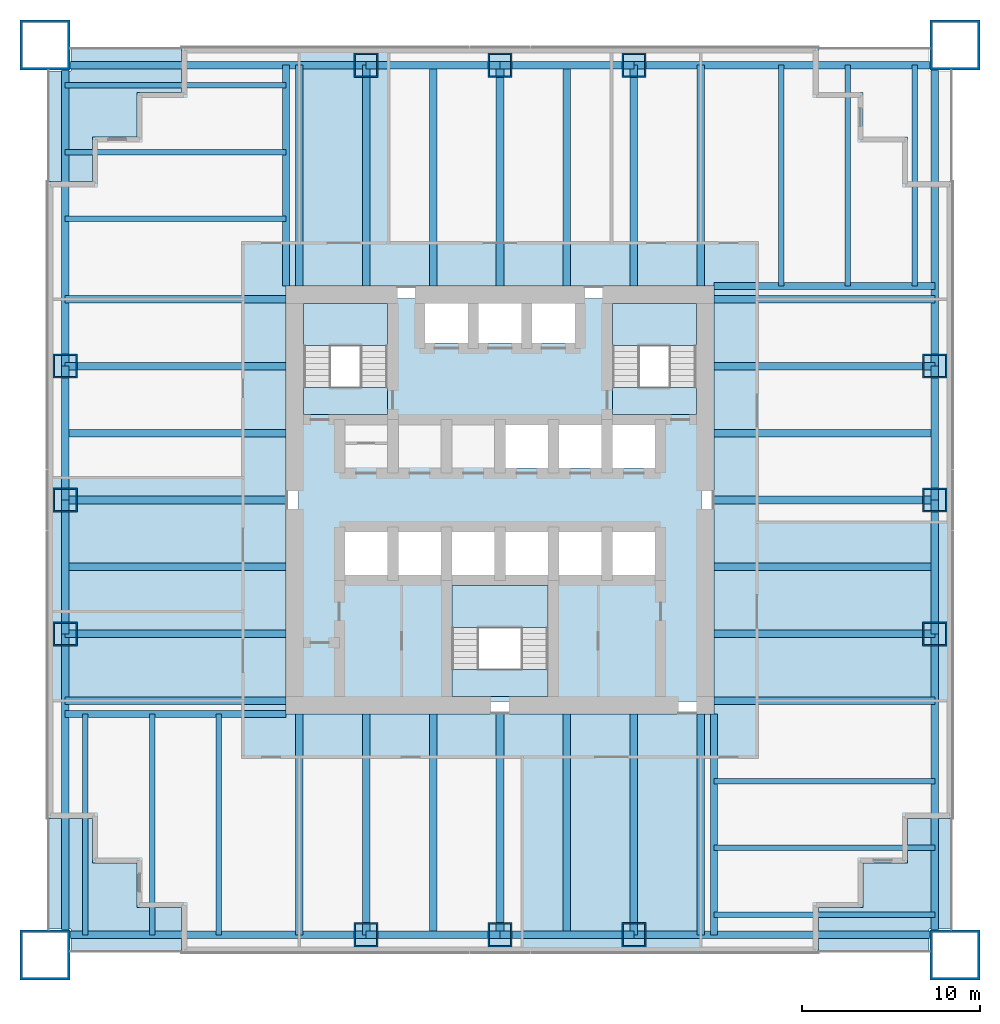
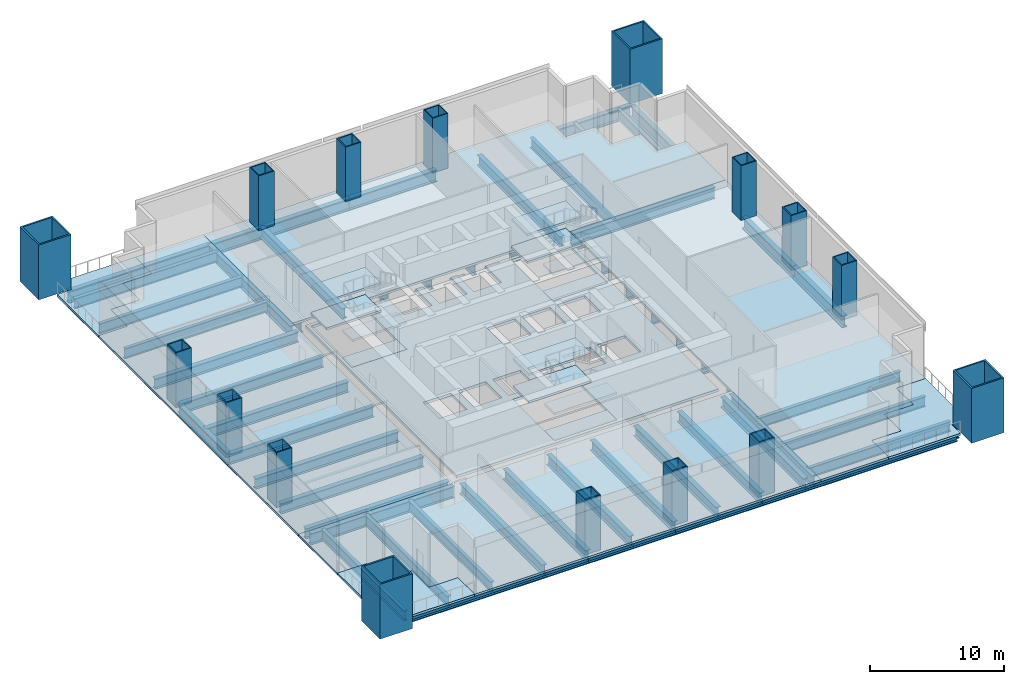
# One storey, part 1 of 6: 60 beams, 20 slabs, 16 columns, 3 elements without a shape of their own.
"""IFC4 building model written with IfcOpenShell, lengths in metres."""

from ifc_helpers import new_model, si_unit, direction, frame, origin, origin_2d, place, context, subcontext, project, spatial, polyline, hollow_rectangle, i_section, outline, extrude, material, layer, layer_set, material_profile, profile_set, type_object, element, aggregate, save


model = new_model("IFC4")

# Units and contexts
model_context = context("Model", 3, precision=1e-05, world=origin(), true_north=direction((0.0, 1.0)))
body_context = subcontext(model_context, "Body", "Model", "MODEL_VIEW")
ifc_project = project(units=[si_unit("LENGTHUNIT", "METRE"), si_unit("AREAUNIT", "SQUARE_METRE"), si_unit("VOLUMEUNIT", "CUBIC_METRE"), si_unit("PLANEANGLEUNIT", "RADIAN"), si_unit("MASSUNIT", "GRAM", prefix="KILO")], contexts=[model_context])

# Site, building, storey
site_placement = place(None, origin())
site = spatial("IfcSite", under=ifc_project, at=site_placement, CompositionType="ELEMENT")
building_placement = place(site_placement, origin())
building = spatial("IfcBuilding", under=site, at=building_placement, Name="Tarangal Relay Tower", CompositionType="ELEMENT")
storey_placement = place(building_placement, frame((0.0, 0.0, 73.39990234375)))
storey = spatial("IfcBuildingStorey", under=building, at=storey_placement, Name="L14", CompositionType="ELEMENT", Elevation=73.39990234375)

# Columns
ifc_material_1 = material(Name="Steel ASTM A572 Grade 42", Category="steel")
ifc_material_profile_1 = material_profile(ifc_material_1, hollow_rectangle(XDim=2.800048828125, YDim=2.800048828125, WallThickness=0.139892578125, at=origin_2d()), Name="BOX2800X2800X140")
ifc_profile_set_1 = profile_set([ifc_material_profile_1], Name="Steel ASTM A572 Grade 42")
column_type_1 = type_object("IfcColumnType", Name="Mega column BOX2800X2800X140", PredefinedType="COLUMN", material=ifc_profile_set_1)
for number, where, z_axis, x_axis, name in (
    (1, (25.5, 25.5, 0.0), (0.0, 0.0, 1.0), (1.0, 0.0, 0.0), "Mega column MC1 NE L14"),
    (2, (25.5, -25.5, 0.0), (0.0, 0.0, 1.0), (1.0, 0.0, 0.0), "Mega column MC1 SE L14"),
    (3, (-25.5, -25.5, 0.0), (0.0, 0.0, 1.0), (1.0, 0.0, 0.0), "Mega column MC1 SW L14"),
    (4, (-25.5, 25.5, 0.0), (0.0, 0.0, 1.0), (1.0, 0.0, 0.0), "Mega column MC1 NW L14"),
):
    element("IfcColumn", number, at=place(storey_placement, frame(where, z_axis=z_axis, x_axis=x_axis)), inside=storey, type_object=column_type_1, Name=name, PredefinedType="COLUMN", context=body_context, shape_type="SweptSolid", body=[
        extrude(hollow_rectangle(XDim=2.800048828125, YDim=2.800048828125, WallThickness=0.139892578125, at=origin_2d()), origin(), (0.0, 0.0, 1.0), 5.0),
    ])
ifc_material_2 = material(Name="Steel ASTM A572 Grade 50", Category="steel")
ifc_material_profile_2 = material_profile(ifc_material_2, hollow_rectangle(XDim=1.35009765625, YDim=1.35009765625, WallThickness=0.0849609375, at=origin_2d()), Name="BOX1350X1350X85")
ifc_profile_set_2 = profile_set([ifc_material_profile_2], Name="Steel ASTM A572 Grade 50")
column_type_2 = type_object("IfcColumnType", Name="Perimeter column BOX1350X1350X85", PredefinedType="COLUMN", material=ifc_profile_set_2)
for number, where, z_axis, x_axis, name in (
    (5, (-7.5, 24.364990234375, 0.0), (0.0, 0.0, 1.0), (1.0, 0.0, 0.0), "Perimeter column PC2 N L14"),
    (6, (0.0, 24.364990234375, 0.0), (0.0, 0.0, 1.0), (1.0, 0.0, 0.0), "Perimeter column PC2 N L14"),
    (7, (7.5, 24.364990234375, 0.0), (0.0, 0.0, 1.0), (1.0, 0.0, 0.0), "Perimeter column PC2 N L14"),
    (8, (24.364990234375, 7.5, 0.0), (0.0, 0.0, 1.0), (1.0, 0.0, 0.0), "Perimeter column PC2 E L14"),
    (9, (24.364990234375, 0.0, 0.0), (0.0, 0.0, 1.0), (1.0, 0.0, 0.0), "Perimeter column PC2 E L14"),
    (10, (24.364990234375, -7.5, 0.0), (0.0, 0.0, 1.0), (1.0, 0.0, 0.0), "Perimeter column PC2 E L14"),
    (11, (7.5, -24.364990234375, 0.0), (0.0, 0.0, 1.0), (1.0, 0.0, 0.0), "Perimeter column PC2 S L14"),
    (12, (0.0, -24.364990234375, 0.0), (0.0, 0.0, 1.0), (1.0, 0.0, 0.0), "Perimeter column PC2 S L14"),
    (13, (-7.5, -24.364990234375, 0.0), (0.0, 0.0, 1.0), (1.0, 0.0, 0.0), "Perimeter column PC2 S L14"),
    (14, (-24.364990234375, -7.5, 0.0), (0.0, 0.0, 1.0), (1.0, 0.0, 0.0), "Perimeter column PC2 W L14"),
    (15, (-24.364990234375, 0.0, 0.0), (0.0, 0.0, 1.0), (1.0, 0.0, 0.0), "Perimeter column PC2 W L14"),
    (16, (-24.364990234375, 7.5, 0.0), (0.0, 0.0, 1.0), (1.0, 0.0, 0.0), "Perimeter column PC2 W L14"),
):
    element("IfcColumn", number, at=place(storey_placement, frame(where, z_axis=z_axis, x_axis=x_axis)), inside=storey, type_object=column_type_2, Name=name, PredefinedType="COLUMN", context=body_context, shape_type="SweptSolid", body=[
        extrude(hollow_rectangle(XDim=1.35009765625, YDim=1.35009765625, WallThickness=0.0849609375, at=origin_2d()), origin(), (0.0, 0.0, 1.0), 5.0),
    ])

# Beams
ifc_material_3 = material(Name="Steel ASTM A992", Category="steel")
ifc_material_profile_3 = material_profile(ifc_material_3, i_section(OverallWidth=0.307373046875, OverallDepth=0.927001953125, WebThickness=0.019287109375, FlangeThickness=0.031982421875, at=origin_2d()), Name="W36X194")
ifc_profile_set_3 = profile_set([ifc_material_profile_3], Name="Steel ASTM A992")
beam_type_1 = type_object("IfcBeamType", Name="Corner beam W36X194", PredefinedType="JOIST", material=ifc_profile_set_3)
for number, where, z_axis, x_axis, name in (
    (17, (15.75, 12.0, -0.663330078125), (0.0, 1.0, 0.0), (-1.0, 0.0, 0.0), "Corner beam CB10 N L14"),
    (18, (19.5, 12.0, -0.663330078125), (0.0, 1.0, 0.0), (-1.0, 0.0, 0.0), "Corner beam CB10 N L14"),
    (19, (23.25, 12.0, -0.663330078125), (0.0, 1.0, 0.0), (-1.0, 0.0, 0.0), "Corner beam CB10 N L14"),
    (20, (12.0, -15.75, -0.663330078125), (1.0, 0.0, 0.0), (0.0, 1.0, 0.0), "Corner beam CB10 E L14"),
    (21, (12.0, -19.5, -0.663330078125), (1.0, 0.0, 0.0), (0.0, 1.0, 0.0), "Corner beam CB10 E L14"),
    (22, (12.0, -23.25, -0.663330078125), (1.0, 0.0, 0.0), (0.0, 1.0, 0.0), "Corner beam CB10 E L14"),
    (23, (-15.75, -12.0, -0.663330078125), (0.0, -1.0, 0.0), (1.0, 0.0, 0.0), "Corner beam CB10 S L14"),
    (24, (-19.5, -12.0, -0.663330078125), (0.0, -1.0, 0.0), (1.0, 0.0, 0.0), "Corner beam CB10 S L14"),
    (25, (-23.25, -12.0, -0.663330078125), (0.0, -1.0, 0.0), (1.0, 0.0, 0.0), "Corner beam CB10 S L14"),
    (26, (-12.0, 15.75, -0.663330078125), (-1.0, 0.0, 0.0), (0.0, -1.0, 0.0), "Corner beam CB10 W L14"),
    (27, (-12.0, 19.5, -0.663330078125), (-1.0, 0.0, 0.0), (0.0, -1.0, 0.0), "Corner beam CB10 W L14"),
    (28, (-12.0, 23.25, -0.663330078125), (-1.0, 0.0, 0.0), (0.0, -1.0, 0.0), "Corner beam CB10 W L14"),
):
    element("IfcBeam", number, at=place(storey_placement, frame(where, z_axis=z_axis, x_axis=x_axis)), inside=storey, type_object=beam_type_1, Name=name, PredefinedType="JOIST", context=body_context, shape_type="SweptSolid", body=[
        extrude(i_section(OverallWidth=0.307373046875, OverallDepth=0.927001953125, WebThickness=0.019287109375, FlangeThickness=0.031982421875, at=origin_2d()), origin(), (0.0, 0.0, 1.0), 12.364990234375),
    ])
ifc_material_profile_4 = material_profile(ifc_material_3, i_section(OverallWidth=0.40380859375, OverallDepth=1.036376953125, WebThickness=0.031005859375, FlangeThickness=0.0458984375, at=origin_2d()), Name="W40X331")
ifc_profile_set_4 = profile_set([ifc_material_profile_4], Name="Steel ASTM A992")
beam_type_2 = type_object("IfcBeamType", Name="Corner girder W40X331", PredefinedType="BEAM", material=ifc_profile_set_4)
for number, where, z_axis, x_axis, name in (
    (29, (12.0, 12.0, -0.718017578125), (1.0, 0.0, 0.0), (0.0, 1.0, 0.0), "Corner girder CG2 N L14"),
    (30, (12.0, -12.0, -0.718017578125), (0.0, -1.0, 0.0), (1.0, 0.0, 0.0), "Corner girder CG2 E L14"),
    (31, (-12.0, -12.0, -0.718017578125), (-1.0, 0.0, 0.0), (0.0, -1.0, 0.0), "Corner girder CG2 S L14"),
    (32, (-12.0, 12.0, -0.718017578125), (0.0, 1.0, 0.0), (-1.0, 0.0, 0.0), "Corner girder CG2 W L14"),
):
    element("IfcBeam", number, at=place(storey_placement, frame(where, z_axis=z_axis, x_axis=x_axis)), inside=storey, type_object=beam_type_2, Name=name, PredefinedType="BEAM", context=body_context, shape_type="SweptSolid", body=[
        extrude(i_section(OverallWidth=0.40380859375, OverallDepth=1.036376953125, WebThickness=0.031005859375, FlangeThickness=0.0458984375, at=origin_2d()), origin(), (0.0, 0.0, 1.0), 12.364990234375),
    ])
ifc_material_profile_5 = material_profile(ifc_material_3, i_section(OverallWidth=0.42431640625, OverallDepth=1.09228515625, WebThickness=0.04541015625, FlangeThickness=0.08203125, at=origin_2d()), Name="W40X593")
ifc_profile_set_5 = profile_set([ifc_material_profile_5], Name="Steel ASTM A992")
beam_type_3 = type_object("IfcBeamType", Name="Edge girder W40X593", PredefinedType="SPANDREL", material=ifc_profile_set_5)
beam_1_placement = place(storey_placement, frame((-24.25, 24.364990234375, -0.74609375), z_axis=(1.0, 0.0, 0.0), x_axis=(0.0, 1.0, 0.0)))
element("IfcBeam", 33, at=beam_1_placement, inside=storey, type_object=beam_type_3, Name="Edge girder EG9 N L14", PredefinedType="SPANDREL", context=body_context, shape_type="SweptSolid", body=[
    extrude(i_section(OverallWidth=0.42431640625, OverallDepth=1.09228515625, WebThickness=0.04541015625, FlangeThickness=0.08203125, at=origin_2d()), origin(), (0.0, 0.0, 1.0), 16.75),
])
for number, where, z_axis, x_axis, name in (
    (34, (-7.5, 24.364990234375, -0.74609375), (1.0, 0.0, 0.0), (0.0, 1.0, 0.0), "Edge girder EG9 N L14"),
    (35, (0.0, 24.364990234375, -0.74609375), (1.0, 0.0, 0.0), (0.0, 1.0, 0.0), "Edge girder EG9 N L14"),
):
    element("IfcBeam", number, at=place(storey_placement, frame(where, z_axis=z_axis, x_axis=x_axis)), inside=storey, type_object=beam_type_3, Name=name, PredefinedType="SPANDREL", context=body_context, shape_type="SweptSolid", body=[
        extrude(i_section(OverallWidth=0.42431640625, OverallDepth=1.09228515625, WebThickness=0.04541015625, FlangeThickness=0.08203125, at=origin_2d()), origin(), (0.0, 0.0, 1.0), 7.5),
    ])
for number, where, z_axis, x_axis, name in (
    (36, (7.5, 24.364990234375, -0.74609375), (1.0, 0.0, 0.0), (0.0, 1.0, 0.0), "Edge girder EG9 N L14"),
    (37, (24.364990234375, 24.25, -0.74609375), (0.0, -1.0, 0.0), (1.0, 0.0, 0.0), "Edge girder EG9 E L14"),
):
    element("IfcBeam", number, at=place(storey_placement, frame(where, z_axis=z_axis, x_axis=x_axis)), inside=storey, type_object=beam_type_3, Name=name, PredefinedType="SPANDREL", context=body_context, shape_type="SweptSolid", body=[
        extrude(i_section(OverallWidth=0.42431640625, OverallDepth=1.09228515625, WebThickness=0.04541015625, FlangeThickness=0.08203125, at=origin_2d()), origin(), (0.0, 0.0, 1.0), 16.75),
    ])
for number, where, z_axis, x_axis, name in (
    (38, (24.364990234375, 7.5, -0.74609375), (0.0, -1.0, 0.0), (1.0, 0.0, 0.0), "Edge girder EG9 E L14"),
    (39, (24.364990234375, 0.0, -0.74609375), (0.0, -1.0, 0.0), (1.0, 0.0, 0.0), "Edge girder EG9 E L14"),
):
    element("IfcBeam", number, at=place(storey_placement, frame(where, z_axis=z_axis, x_axis=x_axis)), inside=storey, type_object=beam_type_3, Name=name, PredefinedType="SPANDREL", context=body_context, shape_type="SweptSolid", body=[
        extrude(i_section(OverallWidth=0.42431640625, OverallDepth=1.09228515625, WebThickness=0.04541015625, FlangeThickness=0.08203125, at=origin_2d()), origin(), (0.0, 0.0, 1.0), 7.5),
    ])
for number, where, z_axis, x_axis, name in (
    (40, (24.364990234375, -7.5, -0.74609375), (0.0, -1.0, 0.0), (1.0, 0.0, 0.0), "Edge girder EG9 E L14"),
    (41, (24.25, -24.364990234375, -0.74609375), (-1.0, 0.0, 0.0), (0.0, -1.0, 0.0), "Edge girder EG9 S L14"),
):
    element("IfcBeam", number, at=place(storey_placement, frame(where, z_axis=z_axis, x_axis=x_axis)), inside=storey, type_object=beam_type_3, Name=name, PredefinedType="SPANDREL", context=body_context, shape_type="SweptSolid", body=[
        extrude(i_section(OverallWidth=0.42431640625, OverallDepth=1.09228515625, WebThickness=0.04541015625, FlangeThickness=0.08203125, at=origin_2d()), origin(), (0.0, 0.0, 1.0), 16.75),
    ])
for number, where, z_axis, x_axis, name in (
    (42, (7.5, -24.364990234375, -0.74609375), (-1.0, 0.0, 0.0), (0.0, -1.0, 0.0), "Edge girder EG9 S L14"),
    (43, (0.0, -24.364990234375, -0.74609375), (-1.0, 0.0, 0.0), (0.0, -1.0, 0.0), "Edge girder EG9 S L14"),
):
    element("IfcBeam", number, at=place(storey_placement, frame(where, z_axis=z_axis, x_axis=x_axis)), inside=storey, type_object=beam_type_3, Name=name, PredefinedType="SPANDREL", context=body_context, shape_type="SweptSolid", body=[
        extrude(i_section(OverallWidth=0.42431640625, OverallDepth=1.09228515625, WebThickness=0.04541015625, FlangeThickness=0.08203125, at=origin_2d()), origin(), (0.0, 0.0, 1.0), 7.5),
    ])
for number, where, z_axis, x_axis, name in (
    (44, (-7.5, -24.364990234375, -0.74609375), (-1.0, 0.0, 0.0), (0.0, -1.0, 0.0), "Edge girder EG9 S L14"),
    (45, (-24.364990234375, -24.25, -0.74609375), (0.0, 1.0, 0.0), (-1.0, 0.0, 0.0), "Edge girder EG9 W L14"),
):
    element("IfcBeam", number, at=place(storey_placement, frame(where, z_axis=z_axis, x_axis=x_axis)), inside=storey, type_object=beam_type_3, Name=name, PredefinedType="SPANDREL", context=body_context, shape_type="SweptSolid", body=[
        extrude(i_section(OverallWidth=0.42431640625, OverallDepth=1.09228515625, WebThickness=0.04541015625, FlangeThickness=0.08203125, at=origin_2d()), origin(), (0.0, 0.0, 1.0), 16.75),
    ])
for number, where, z_axis, x_axis, name in (
    (46, (-24.364990234375, -7.5, -0.74609375), (0.0, 1.0, 0.0), (-1.0, 0.0, 0.0), "Edge girder EG9 W L14"),
    (47, (-24.364990234375, 0.0, -0.74609375), (0.0, 1.0, 0.0), (-1.0, 0.0, 0.0), "Edge girder EG9 W L14"),
):
    element("IfcBeam", number, at=place(storey_placement, frame(where, z_axis=z_axis, x_axis=x_axis)), inside=storey, type_object=beam_type_3, Name=name, PredefinedType="SPANDREL", context=body_context, shape_type="SweptSolid", body=[
        extrude(i_section(OverallWidth=0.42431640625, OverallDepth=1.09228515625, WebThickness=0.04541015625, FlangeThickness=0.08203125, at=origin_2d()), origin(), (0.0, 0.0, 1.0), 7.5),
    ])
beam_2_placement = place(storey_placement, frame((-24.364990234375, 7.5, -0.74609375), z_axis=(0.0, 1.0, 0.0), x_axis=(-1.0, 0.0, 0.0)))
element("IfcBeam", 48, at=beam_2_placement, inside=storey, type_object=beam_type_3, Name="Edge girder EG9 W L14", PredefinedType="SPANDREL", context=body_context, shape_type="SweptSolid", body=[
    extrude(i_section(OverallWidth=0.42431640625, OverallDepth=1.09228515625, WebThickness=0.04541015625, FlangeThickness=0.08203125, at=origin_2d()), origin(), (0.0, 0.0, 1.0), 16.75),
])
ifc_material_profile_6 = material_profile(ifc_material_3, i_section(OverallWidth=0.42431640625, OverallDepth=0.947509765625, WebThickness=0.02392578125, FlangeThickness=0.042724609375, at=origin_2d()), Name="W36X302")
ifc_profile_set_6 = profile_set([ifc_material_profile_6], Name="Steel ASTM A992")
beam_type_4 = type_object("IfcBeamType", Name="Floor beam W36X302", PredefinedType="BEAM", material=ifc_profile_set_6)
for number, where, z_axis, x_axis, name in (
    (49, (-11.25, 12.0, -0.673583984375), (0.0, 1.0, 0.0), (-1.0, 0.0, 0.0), "Floor beam RB10 N L14"),
    (50, (-7.5, 12.0, -0.673583984375), (0.0, 1.0, 0.0), (-1.0, 0.0, 0.0), "Floor beam RB10 N L14"),
    (51, (-3.75, 12.0, -0.673583984375), (0.0, 1.0, 0.0), (-1.0, 0.0, 0.0), "Floor beam RB10 N L14"),
    (52, (0.0, 12.0, -0.673583984375), (0.0, 1.0, 0.0), (-1.0, 0.0, 0.0), "Floor beam RB10 N L14"),
    (53, (3.75, 12.0, -0.673583984375), (0.0, 1.0, 0.0), (-1.0, 0.0, 0.0), "Floor beam RB10 N L14"),
    (54, (7.5, 12.0, -0.673583984375), (0.0, 1.0, 0.0), (-1.0, 0.0, 0.0), "Floor beam RB10 N L14"),
    (55, (11.25, 12.0, -0.673583984375), (0.0, 1.0, 0.0), (-1.0, 0.0, 0.0), "Floor beam RB10 N L14"),
    (56, (12.0, 11.25, -0.673583984375), (1.0, 0.0, 0.0), (0.0, 1.0, 0.0), "Floor beam RB10 E L14"),
    (57, (12.0, 7.5, -0.673583984375), (1.0, 0.0, 0.0), (0.0, 1.0, 0.0), "Floor beam RB10 E L14"),
    (58, (12.0, 3.75, -0.673583984375), (1.0, 0.0, 0.0), (0.0, 1.0, 0.0), "Floor beam RB10 E L14"),
    (59, (12.0, 0.0, -0.673583984375), (1.0, 0.0, 0.0), (0.0, 1.0, 0.0), "Floor beam RB10 E L14"),
    (60, (12.0, -3.75, -0.673583984375), (1.0, 0.0, 0.0), (0.0, 1.0, 0.0), "Floor beam RB10 E L14"),
    (61, (12.0, -7.5, -0.673583984375), (1.0, 0.0, 0.0), (0.0, 1.0, 0.0), "Floor beam RB10 E L14"),
    (62, (12.0, -11.25, -0.673583984375), (1.0, 0.0, 0.0), (0.0, 1.0, 0.0), "Floor beam RB10 E L14"),
    (63, (11.25, -12.0, -0.673583984375), (0.0, -1.0, 0.0), (1.0, 0.0, 0.0), "Floor beam RB10 S L14"),
    (64, (7.5, -12.0, -0.673583984375), (0.0, -1.0, 0.0), (1.0, 0.0, 0.0), "Floor beam RB10 S L14"),
    (65, (3.75, -12.0, -0.673583984375), (0.0, -1.0, 0.0), (1.0, 0.0, 0.0), "Floor beam RB10 S L14"),
    (66, (0.0, -12.0, -0.673583984375), (0.0, -1.0, 0.0), (1.0, 0.0, 0.0), "Floor beam RB10 S L14"),
    (67, (-3.75, -12.0, -0.673583984375), (0.0, -1.0, 0.0), (1.0, 0.0, 0.0), "Floor beam RB10 S L14"),
    (68, (-7.5, -12.0, -0.673583984375), (0.0, -1.0, 0.0), (1.0, 0.0, 0.0), "Floor beam RB10 S L14"),
    (69, (-11.25, -12.0, -0.673583984375), (0.0, -1.0, 0.0), (1.0, 0.0, 0.0), "Floor beam RB10 S L14"),
    (70, (-12.0, -11.25, -0.673583984375), (-1.0, 0.0, 0.0), (0.0, -1.0, 0.0), "Floor beam RB10 W L14"),
    (71, (-12.0, -7.5, -0.673583984375), (-1.0, 0.0, 0.0), (0.0, -1.0, 0.0), "Floor beam RB10 W L14"),
    (72, (-12.0, -3.75, -0.673583984375), (-1.0, 0.0, 0.0), (0.0, -1.0, 0.0), "Floor beam RB10 W L14"),
    (73, (-12.0, 0.0, -0.673583984375), (-1.0, 0.0, 0.0), (0.0, -1.0, 0.0), "Floor beam RB10 W L14"),
    (74, (-12.0, 3.75, -0.673583984375), (-1.0, 0.0, 0.0), (0.0, -1.0, 0.0), "Floor beam RB10 W L14"),
    (75, (-12.0, 7.5, -0.673583984375), (-1.0, 0.0, 0.0), (0.0, -1.0, 0.0), "Floor beam RB10 W L14"),
    (76, (-12.0, 11.25, -0.673583984375), (-1.0, 0.0, 0.0), (0.0, -1.0, 0.0), "Floor beam RB10 W L14"),
):
    element("IfcBeam", number, at=place(storey_placement, frame(where, z_axis=z_axis, x_axis=x_axis)), inside=storey, type_object=beam_type_4, Name=name, PredefinedType="BEAM", context=body_context, shape_type="SweptSolid", body=[
        extrude(i_section(OverallWidth=0.42431640625, OverallDepth=0.947509765625, WebThickness=0.02392578125, FlangeThickness=0.042724609375, at=origin_2d()), origin(), (0.0, 0.0, 1.0), 12.364990234375),
    ])

# Slabs
ifc_material_4 = material(Name="Concrete fc' 35 MPa", Category="concrete")
ifc_layer_1 = layer(ifc_material_4, 0.25)
ifc_layer_set_1 = layer_set([ifc_layer_1], Name="Core floor slab 250")
slab_type_1 = type_object("IfcSlabType", Name="Core floor slab 250", PredefinedType="FLOOR", material=ifc_layer_set_1)
slab_1_placement = place(storey_placement, frame((0.0, 0.0, -0.25)))
element("IfcSlab", 77, at=slab_1_placement, inside=storey, type_object=slab_type_1, Name="Core floor slab L14", PredefinedType="FLOOR", context=body_context, shape_type="SweptSolid", body=[
    extrude(outline(polyline([(11.300048828125, 11.300048828125), (11.300048828125, -11.300048828125), (-11.300048828125, -11.300048828125), (-11.300048828125, 11.300048828125), (-4.199951171875, 11.300048828125), (-4.199951171875, 8.800048828125), (-1.800048828125, 8.800048828125), (-1.800048828125, 11.300048828125), (-1.199951171875, 11.300048828125), (-1.199951171875, 8.800048828125), (1.199951171875, 8.800048828125), (1.199951171875, 11.300048828125), (1.800048828125, 11.300048828125), (1.800048828125, 8.800048828125), (4.199951171875, 8.800048828125), (4.199951171875, 11.300048828125), (11.300048828125, 11.300048828125)]), holes=[polyline([(2.699951171875, -4.800048828125), (-2.699951171875, -4.800048828125), (-2.699951171875, -11.0), (2.699951171875, -11.0), (2.699951171875, -4.800048828125)]), polyline([(-6.300048828125, -4.199951171875), (-6.300048828125, -1.800048828125), (-8.699951171875, -1.800048828125), (-8.699951171875, -4.199951171875), (-6.300048828125, -4.199951171875)]), polyline([(-3.300048828125, -4.199951171875), (-3.300048828125, -1.800048828125), (-5.699951171875, -1.800048828125), (-5.699951171875, -4.199951171875), (-3.300048828125, -4.199951171875)]), polyline([(-0.300048828125, -4.199951171875), (-0.300048828125, -1.800048828125), (-2.699951171875, -1.800048828125), (-2.699951171875, -4.199951171875), (-0.300048828125, -4.199951171875)]), polyline([(2.699951171875, 1.800048828125), (2.699951171875, 4.199951171875), (0.300048828125, 4.199951171875), (0.300048828125, 1.800048828125), (2.699951171875, 1.800048828125)]), polyline([(-6.300048828125, 4.800048828125), (-6.300048828125, 11.0), (-11.0, 11.0), (-11.0, 4.800048828125), (-6.300048828125, 4.800048828125)]), polyline([(2.699951171875, -4.199951171875), (2.699951171875, -1.800048828125), (0.300048828125, -1.800048828125), (0.300048828125, -4.199951171875), (2.699951171875, -4.199951171875)]), polyline([(5.699951171875, -4.199951171875), (5.699951171875, -1.800048828125), (3.300048828125, -1.800048828125), (3.300048828125, -4.199951171875), (5.699951171875, -4.199951171875)]), polyline([(8.699951171875, -4.199951171875), (8.699951171875, -1.800048828125), (6.300048828125, -1.800048828125), (6.300048828125, -4.199951171875), (8.699951171875, -4.199951171875)]), polyline([(5.699951171875, 1.800048828125), (5.699951171875, 4.199951171875), (3.300048828125, 4.199951171875), (3.300048828125, 1.800048828125), (5.699951171875, 1.800048828125)]), polyline([(8.699951171875, 1.800048828125), (8.699951171875, 4.199951171875), (6.300048828125, 4.199951171875), (6.300048828125, 1.800048828125), (8.699951171875, 1.800048828125)]), polyline([(11.0, 4.800048828125), (11.0, 11.0), (6.300048828125, 11.0), (6.300048828125, 4.800048828125), (11.0, 4.800048828125)])]), origin(), (0.0, 0.0, 1.0), 0.25),
])
ifc_layer_2 = layer(ifc_material_4, 0.199951171875)
ifc_layer_set_2 = layer_set([ifc_layer_2], Name="Floor slab 200")
slab_type_2 = type_object("IfcSlabType", Name="Floor slab 200", PredefinedType="FLOOR", material=ifc_layer_set_2)
slab_2_placement = place(storey_placement, frame((0.0, 0.0, -0.199951171875)))
element("IfcSlab", 78, at=slab_2_placement, inside=storey, type_object=slab_type_2, Name="Floor slab FS2 L14 north bay", PredefinedType="FLOOR", context=body_context, shape_type="SweptSolid", body=[
    extrude(outline(polyline([(17.85009765625, 25.35009765625), (17.85009765625, 22.85009765625), (20.35009765625, 22.85009765625), (20.35009765625, 20.35009765625), (22.85009765625, 20.35009765625), (22.85009765625, 17.85009765625), (25.35009765625, 17.85009765625), (25.35009765625, 12.0), (-12.0, 12.0), (-12.0, 25.35009765625), (17.85009765625, 25.35009765625)])), origin(), (0.0, 0.0, 1.0), 0.199951171875),
])
slab_3_placement = place(storey_placement, frame((0.0, 0.0, -0.199951171875)))
element("IfcSlab", 79, at=slab_3_placement, inside=storey, type_object=slab_type_2, Name="Floor slab FS2 L14 east bay", PredefinedType="FLOOR", context=body_context, shape_type="SweptSolid", body=[
    extrude(outline(polyline([(25.35009765625, -17.85009765625), (22.85009765625, -17.85009765625), (22.85009765625, -20.35009765625), (20.35009765625, -20.35009765625), (20.35009765625, -22.85009765625), (17.85009765625, -22.85009765625), (17.85009765625, -25.35009765625), (12.0, -25.35009765625), (12.0, 12.0), (25.35009765625, 12.0), (25.35009765625, -17.85009765625)])), origin(), (0.0, 0.0, 1.0), 0.199951171875),
])
slab_4_placement = place(storey_placement, frame((0.0, 0.0, -0.199951171875)))
element("IfcSlab", 80, at=slab_4_placement, inside=storey, type_object=slab_type_2, Name="Floor slab FS2 L14 south bay", PredefinedType="FLOOR", context=body_context, shape_type="SweptSolid", body=[
    extrude(outline(polyline([(-17.85009765625, -25.35009765625), (-17.85009765625, -22.85009765625), (-20.35009765625, -22.85009765625), (-20.35009765625, -20.35009765625), (-22.85009765625, -20.35009765625), (-22.85009765625, -17.85009765625), (-25.35009765625, -17.85009765625), (-25.35009765625, -12.0), (12.0, -12.0), (12.0, -25.35009765625), (-17.85009765625, -25.35009765625)])), origin(), (0.0, 0.0, 1.0), 0.199951171875),
])
slab_5_placement = place(storey_placement, frame((0.0, 0.0, -0.199951171875)))
element("IfcSlab", 81, at=slab_5_placement, inside=storey, type_object=slab_type_2, Name="Floor slab FS2 L14 west bay", PredefinedType="FLOOR", context=body_context, shape_type="SweptSolid", body=[
    extrude(outline(polyline([(-12.0, 25.35009765625), (-12.0, -12.0), (-25.35009765625, -12.0), (-25.35009765625, 17.85009765625), (-22.85009765625, 17.85009765625), (-22.85009765625, 20.35009765625), (-20.35009765625, 20.35009765625), (-20.35009765625, 22.85009765625), (-17.85009765625, 22.85009765625), (-17.85009765625, 25.35009765625), (-12.0, 25.35009765625)])), origin(), (0.0, 0.0, 1.0), 0.199951171875),
])

# Stair, slabs
ifc_material_5 = material(Name="Steel ASTM A992 stair flight", Category="steel")
stair_type = type_object("IfcStairType", Name="Core stair 1500", PredefinedType="HALF_TURN_STAIR", material=ifc_material_5)
stair_1_placement = place(storey_placement, origin())
stair_1 = element("IfcStair", 82, at=stair_1_placement, inside=storey, type_object=stair_type, Name="Stair ST-A L14", PredefinedType="HALF_TURN_STAIR")
ifc_layer_3 = layer(ifc_material_4, 0.199951171875)
ifc_layer_set_3 = layer_set([ifc_layer_3], Name="Stair landing 200")
slab_type_3 = type_object("IfcSlabType", Name="Stair landing 200", PredefinedType="LANDING", material=ifc_layer_set_3)
slab_6_placement = place(storey_placement, frame((0.0, 0.0, -0.199951171875)))
slab_6 = element("IfcSlab", 83, at=slab_6_placement, type_object=slab_type_3, Name="ST-A landing 1", PredefinedType="LANDING", context=body_context, shape_type="SweptSolid", body=[
    extrude(outline(polyline([(-11.0, 4.800048828125), (-6.300048828125, 4.800048828125), (-6.300048828125, 6.300048828125), (-11.0, 6.300048828125), (-11.0, 4.800048828125)])), origin(), (0.0, 0.0, 1.0), 0.199951171875),
])
slab_7_placement = place(storey_placement, frame((0.0, 0.0, 1.050048828125)))
slab_7 = element("IfcSlab", 84, at=slab_7_placement, type_object=slab_type_3, Name="ST-A landing 2", PredefinedType="LANDING", context=body_context, shape_type="SweptSolid", body=[
    extrude(outline(polyline([(-11.0, 8.64501953125), (-6.300048828125, 8.64501953125), (-6.300048828125, 11.0), (-11.0, 11.0), (-11.0, 8.64501953125)])), origin(), (0.0, 0.0, 1.0), 0.199951171875),
])
slab_8_placement = place(storey_placement, frame((0.0, 0.0, 2.300048828125)))
slab_8 = element("IfcSlab", 85, at=slab_8_placement, type_object=slab_type_3, Name="ST-A landing 3", PredefinedType="LANDING", context=body_context, shape_type="SweptSolid", body=[
    extrude(outline(polyline([(-11.0, 4.800048828125), (-6.300048828125, 4.800048828125), (-6.300048828125, 6.300048828125), (-11.0, 6.300048828125), (-11.0, 4.800048828125)])), origin(), (0.0, 0.0, 1.0), 0.199951171875),
])
slab_9_placement = place(storey_placement, frame((0.0, 0.0, 3.550048828125)))
slab_9 = element("IfcSlab", 86, at=slab_9_placement, type_object=slab_type_3, Name="ST-A landing 4", PredefinedType="LANDING", context=body_context, shape_type="SweptSolid", body=[
    extrude(outline(polyline([(-11.0, 8.64501953125), (-6.300048828125, 8.64501953125), (-6.300048828125, 11.0), (-11.0, 11.0), (-11.0, 8.64501953125)])), origin(), (0.0, 0.0, 1.0), 0.199951171875),
])
aggregate(stair_1, [slab_6, slab_7, slab_8, slab_9])

stair_2_placement = place(storey_placement, origin())
stair_2 = element("IfcStair", 87, at=stair_2_placement, inside=storey, type_object=stair_type, Name="Stair ST-B L14", PredefinedType="HALF_TURN_STAIR")
slab_10_placement = place(storey_placement, frame((0.0, 0.0, -0.199951171875)))
slab_10 = element("IfcSlab", 88, at=slab_10_placement, type_object=slab_type_3, Name="ST-B landing 1", PredefinedType="LANDING", context=body_context, shape_type="SweptSolid", body=[
    extrude(outline(polyline([(6.300048828125, 4.800048828125), (11.0, 4.800048828125), (11.0, 6.300048828125), (6.300048828125, 6.300048828125), (6.300048828125, 4.800048828125)])), origin(), (0.0, 0.0, 1.0), 0.199951171875),
])
slab_11_placement = place(storey_placement, frame((0.0, 0.0, 1.050048828125)))
slab_11 = element("IfcSlab", 89, at=slab_11_placement, type_object=slab_type_3, Name="ST-B landing 2", PredefinedType="LANDING", context=body_context, shape_type="SweptSolid", body=[
    extrude(outline(polyline([(6.300048828125, 8.64501953125), (11.0, 8.64501953125), (11.0, 11.0), (6.300048828125, 11.0), (6.300048828125, 8.64501953125)])), origin(), (0.0, 0.0, 1.0), 0.199951171875),
])
slab_12_placement = place(storey_placement, frame((0.0, 0.0, 2.300048828125)))
slab_12 = element("IfcSlab", 90, at=slab_12_placement, type_object=slab_type_3, Name="ST-B landing 3", PredefinedType="LANDING", context=body_context, shape_type="SweptSolid", body=[
    extrude(outline(polyline([(6.300048828125, 4.800048828125), (11.0, 4.800048828125), (11.0, 6.300048828125), (6.300048828125, 6.300048828125), (6.300048828125, 4.800048828125)])), origin(), (0.0, 0.0, 1.0), 0.199951171875),
])
slab_13_placement = place(storey_placement, frame((0.0, 0.0, 3.550048828125)))
slab_13 = element("IfcSlab", 91, at=slab_13_placement, type_object=slab_type_3, Name="ST-B landing 4", PredefinedType="LANDING", context=body_context, shape_type="SweptSolid", body=[
    extrude(outline(polyline([(6.300048828125, 8.64501953125), (11.0, 8.64501953125), (11.0, 11.0), (6.300048828125, 11.0), (6.300048828125, 8.64501953125)])), origin(), (0.0, 0.0, 1.0), 0.199951171875),
])
aggregate(stair_2, [slab_10, slab_11, slab_12, slab_13])

stair_3_placement = place(storey_placement, origin())
stair_3 = element("IfcStair", 92, at=stair_3_placement, inside=storey, type_object=stair_type, Name="Stair ST-C L14", PredefinedType="HALF_TURN_STAIR")
slab_14_placement = place(storey_placement, frame((0.0, 0.0, -0.199951171875)))
slab_14 = element("IfcSlab", 93, at=slab_14_placement, type_object=slab_type_3, Name="ST-C landing 1", PredefinedType="LANDING", context=body_context, shape_type="SweptSolid", body=[
    extrude(outline(polyline([(-2.699951171875, -11.0), (2.699951171875, -11.0), (2.699951171875, -9.5), (-2.699951171875, -9.5), (-2.699951171875, -11.0)])), origin(), (0.0, 0.0, 1.0), 0.199951171875),
])
slab_15_placement = place(storey_placement, frame((0.0, 0.0, 1.050048828125)))
slab_15 = element("IfcSlab", 94, at=slab_15_placement, type_object=slab_type_3, Name="ST-C landing 2", PredefinedType="LANDING", context=body_context, shape_type="SweptSolid", body=[
    extrude(outline(polyline([(-2.699951171875, -7.155029296875), (2.699951171875, -7.155029296875), (2.699951171875, -4.800048828125), (-2.699951171875, -4.800048828125), (-2.699951171875, -7.155029296875)])), origin(), (0.0, 0.0, 1.0), 0.199951171875),
])
slab_16_placement = place(storey_placement, frame((0.0, 0.0, 2.300048828125)))
slab_16 = element("IfcSlab", 95, at=slab_16_placement, type_object=slab_type_3, Name="ST-C landing 3", PredefinedType="LANDING", context=body_context, shape_type="SweptSolid", body=[
    extrude(outline(polyline([(-2.699951171875, -11.0), (2.699951171875, -11.0), (2.699951171875, -9.5), (-2.699951171875, -9.5), (-2.699951171875, -11.0)])), origin(), (0.0, 0.0, 1.0), 0.199951171875),
])
slab_17_placement = place(storey_placement, frame((0.0, 0.0, 3.550048828125)))
slab_17 = element("IfcSlab", 96, at=slab_17_placement, type_object=slab_type_3, Name="ST-C landing 4", PredefinedType="LANDING", context=body_context, shape_type="SweptSolid", body=[
    extrude(outline(polyline([(-2.699951171875, -7.155029296875), (2.699951171875, -7.155029296875), (2.699951171875, -4.800048828125), (-2.699951171875, -4.800048828125), (-2.699951171875, -7.155029296875)])), origin(), (0.0, 0.0, 1.0), 0.199951171875),
])
aggregate(stair_3, [slab_14, slab_15, slab_16, slab_17])

# Slabs
ifc_layer_4 = layer(ifc_material_4, 0.199951171875)
ifc_layer_set_4 = layer_set([ifc_layer_4], Name="Terrace slab 200")
slab_type_4 = type_object("IfcSlabType", Name="Terrace slab 200", PredefinedType="FLOOR", material=ifc_layer_set_4)
slab_18_placement = place(storey_placement, frame((0.0, 0.0, -0.199951171875)))
element("IfcSlab", 97, at=slab_18_placement, inside=storey, type_object=slab_type_4, Name="Corner terrace SE L14", PredefinedType="FLOOR", context=body_context, shape_type="SweptSolid", body=[
    extrude(outline(polyline([(25.35009765625, -17.85009765625), (22.85009765625, -17.85009765625), (22.85009765625, -20.35009765625), (20.35009765625, -20.35009765625), (20.35009765625, -22.85009765625), (17.85009765625, -22.85009765625), (17.85009765625, -25.35009765625), (24.050048828125, -25.35009765625), (24.050048828125, -24.050048828125), (25.35009765625, -24.050048828125), (25.35009765625, -17.85009765625)])), origin(), (0.0, 0.0, 1.0), 0.199951171875),
])
slab_19_placement = place(storey_placement, frame((0.0, 0.0, -0.199951171875)))
element("IfcSlab", 98, at=slab_19_placement, inside=storey, type_object=slab_type_4, Name="Corner terrace SW L14", PredefinedType="FLOOR", context=body_context, shape_type="SweptSolid", body=[
    extrude(outline(polyline([(-17.85009765625, -25.35009765625), (-17.85009765625, -22.85009765625), (-20.35009765625, -22.85009765625), (-20.35009765625, -20.35009765625), (-22.85009765625, -20.35009765625), (-22.85009765625, -17.85009765625), (-25.35009765625, -17.85009765625), (-25.35009765625, -24.050048828125), (-24.050048828125, -24.050048828125), (-24.050048828125, -25.35009765625), (-17.85009765625, -25.35009765625)])), origin(), (0.0, 0.0, 1.0), 0.199951171875),
])
slab_20_placement = place(storey_placement, frame((0.0, 0.0, -0.199951171875)))
element("IfcSlab", 99, at=slab_20_placement, inside=storey, type_object=slab_type_4, Name="Corner terrace NW L14", PredefinedType="FLOOR", context=body_context, shape_type="SweptSolid", body=[
    extrude(outline(polyline([(-25.35009765625, 17.85009765625), (-22.85009765625, 17.85009765625), (-22.85009765625, 20.35009765625), (-20.35009765625, 20.35009765625), (-20.35009765625, 22.85009765625), (-17.85009765625, 22.85009765625), (-17.85009765625, 25.35009765625), (-24.050048828125, 25.35009765625), (-24.050048828125, 24.050048828125), (-25.35009765625, 24.050048828125), (-25.35009765625, 17.85009765625)])), origin(), (0.0, 0.0, 1.0), 0.199951171875),
])

save(model, "model.ifc")
